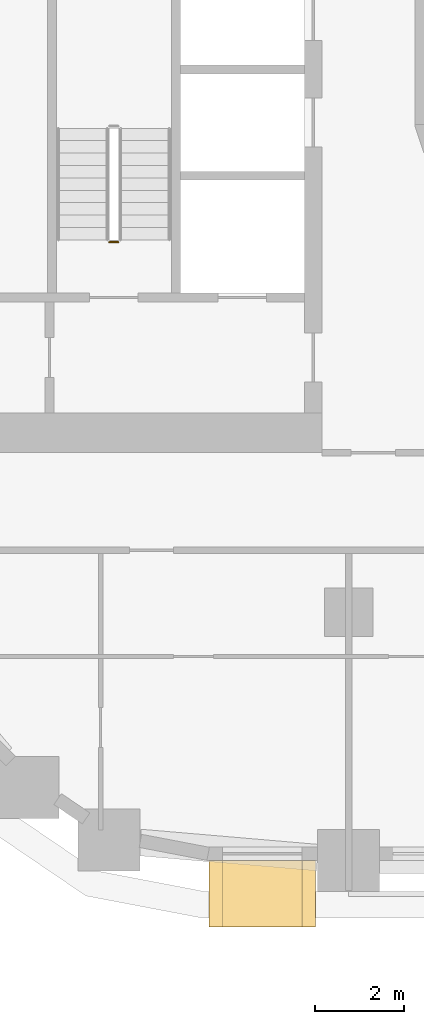
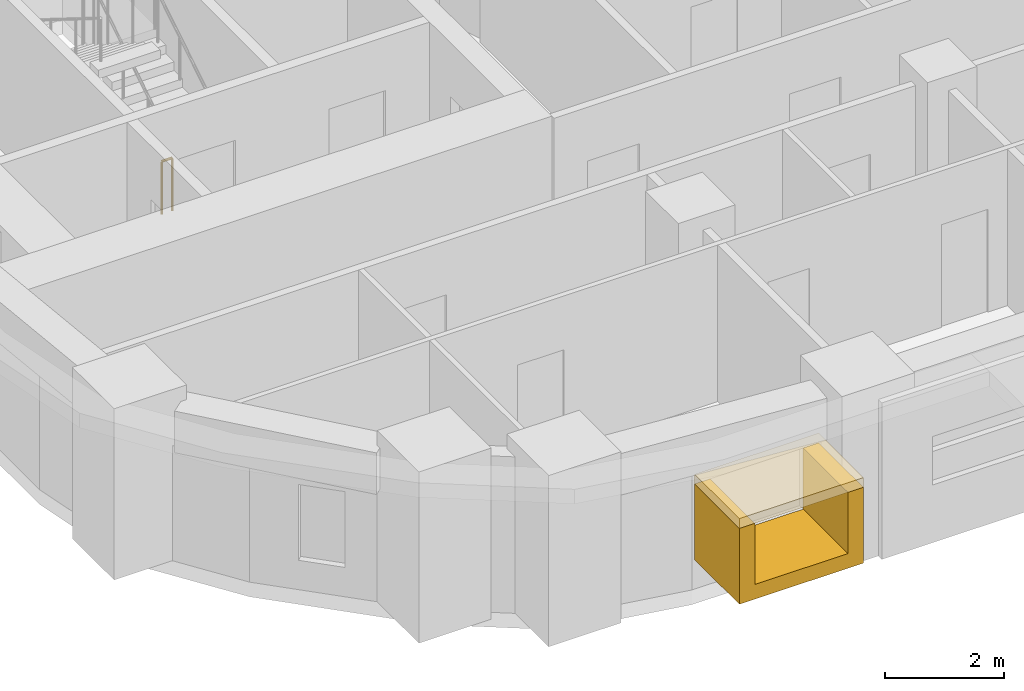
# One storey, part 12 of 22: 2 coverings, 1 railing.
"""IFC4 building model written with IfcOpenShell, lengths in metres."""

from ifc_helpers import new_model, si_unit, direction, frame, origin, origin_2d, place, context, subcontext, project, spatial, polyline, rectangle, circle, outline, extrude, material, layer, layer_set, type_object, element, save


model = new_model("IFC4")

# Units and contexts
model_context = context("Model", 3, precision=1e-05, world=origin(), true_north=direction((0.0, 1.0)))
body_context = subcontext(model_context, "Body", "Model", "MODEL_VIEW")
ifc_project = project(units=[si_unit("LENGTHUNIT", "METRE"), si_unit("AREAUNIT", "SQUARE_METRE"), si_unit("VOLUMEUNIT", "CUBIC_METRE"), si_unit("PLANEANGLEUNIT", "RADIAN"), si_unit("MASSUNIT", "GRAM", prefix="KILO")], contexts=[model_context])

# Site, building, storey
site_placement = place(None, origin())
site = spatial("IfcSite", under=ifc_project, at=site_placement, CompositionType="ELEMENT")
building_placement = place(site_placement, origin())
building = spatial("IfcBuilding", under=site, at=building_placement, Name="Kiln Ring Residences", CompositionType="ELEMENT")
storey_placement = place(building_placement, frame((0.0, 0.0, 65.5)))
storey = spatial("IfcBuildingStorey", under=building, at=storey_placement, Name="L16", CompositionType="ELEMENT", Elevation=65.5)

# Railing
ifc_material_1 = material(Name="Stainless steel", Category="steel")
railing_type = type_object("IfcRailingType", Name="CORE-STAIR-GUARD", PredefinedType="GUARDRAIL", material=ifc_material_1)
railing_placement = place(storey_placement, frame((-22.0, -8.449951171875, 0.0)))
element("IfcRailing", 1, at=railing_placement, inside=storey, type_object=railing_type, Name="L16 W-STS stair guard 4", PredefinedType="GUARDRAIL", context=body_context, shape_type="SweptSolid", body=[
    extrude(circle(Radius=0.02392578125, at=origin_2d()), frame((0.0, 0.0, 1.076171875), z_axis=(-1.0, 0.0, 0.0), x_axis=(0.0, -1.0, 0.0)), (0.0, 0.0, 1.0), 0.199951171875),
    extrude(circle(Radius=0.02099609375, at=origin_2d()), origin(), (0.0, 0.0, 1.0), 1.052001953125),
    extrude(circle(Radius=0.02099609375, at=origin_2d()), frame((-0.199951171875, 0.0, 0.0)), (0.0, 0.0, 1.0), 1.052001953125),
])

# Coverings
ifc_material_2 = material(Name="Brick masonry, dark clay brick", Category="masonry")
ifc_layer_1 = layer(ifc_material_2, 0.300048828125)
ifc_layer_set_1 = layer_set([ifc_layer_1], Name="FRAME CHEEKS AND SILL 1500")
covering_type_1 = type_object("IfcCoveringType", Name="FRAME CHEEKS AND SILL 1500", PredefinedType="CLADDING", material=ifc_layer_set_1)
covering_1_placement = place(storey_placement, frame((-19.949951171875, -23.14990234375, 0.60009765625), z_axis=(0.0, 0.0, 1.0), x_axis=(1.0, 0.0, 0.0)))
element("IfcCovering", 2, at=covering_1_placement, inside=storey, type_object=covering_type_1, Name="FRAME L16", PredefinedType="CLADDING", context=body_context, shape_type="SweptSolid", body=[
    extrude(outline(polyline([(0.0, 0.0), (2.39990234375, 0.0), (2.39990234375, 1.5498046875), (2.10107421875, 1.5498046875), (2.10009765625, 0.2998046875), (0.300048828125, 0.2998046875), (0.299072265625, 1.5498046875), (0.0, 1.5498046875), (0.0, 0.0)])), frame((0.0, 0.75, 0.0), z_axis=(0.0, -1.0, 0.0), x_axis=(1.0, 0.0, 0.0)), (0.0, 0.0, 1.0), 1.5),
])
ifc_material_3 = material(Name="Brick masonry, dark clay brick", Category="masonry")
ifc_layer_2 = layer(ifc_material_3, 0.199951171875)
ifc_layer_set_2 = layer_set([ifc_layer_2], Name="FRAME HEAD 1500")
covering_type_2 = type_object("IfcCoveringType", Name="FRAME HEAD 1500", PredefinedType="CLADDING", material=ifc_layer_set_2)
covering_2_placement = place(storey_placement, frame((-18.75, -23.14990234375, 2.14990234375), z_axis=(0.0, 0.0, 1.0), x_axis=(1.0, 0.0, 0.0)))
element("IfcCovering", 3, at=covering_2_placement, inside=storey, type_object=covering_type_2, Name="FRAME HEAD L16", PredefinedType="CLADDING", context=body_context, shape_type="SweptSolid", body=[
    extrude(rectangle(XDim=2.39990234375, YDim=1.5, at=origin_2d()), origin(), (0.0, 0.0, 1.0), 0.199951171875),
])

save(model, "model.ifc")
